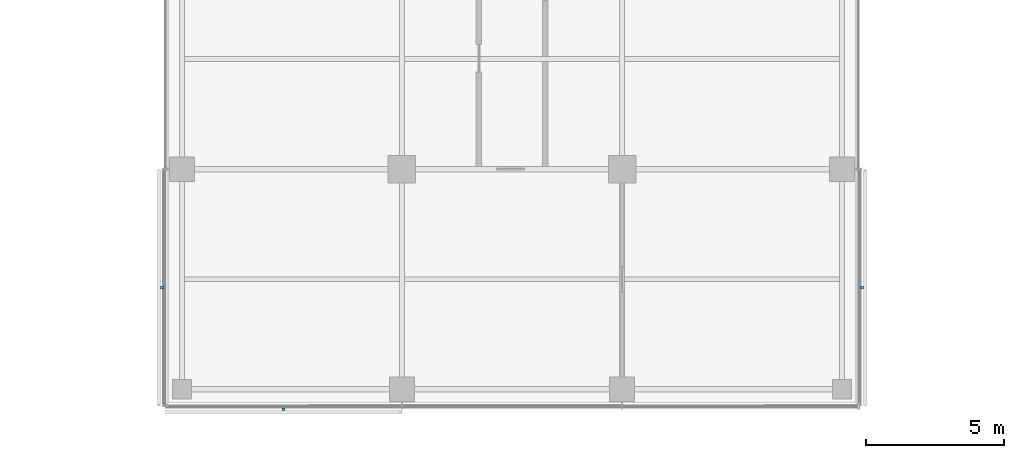
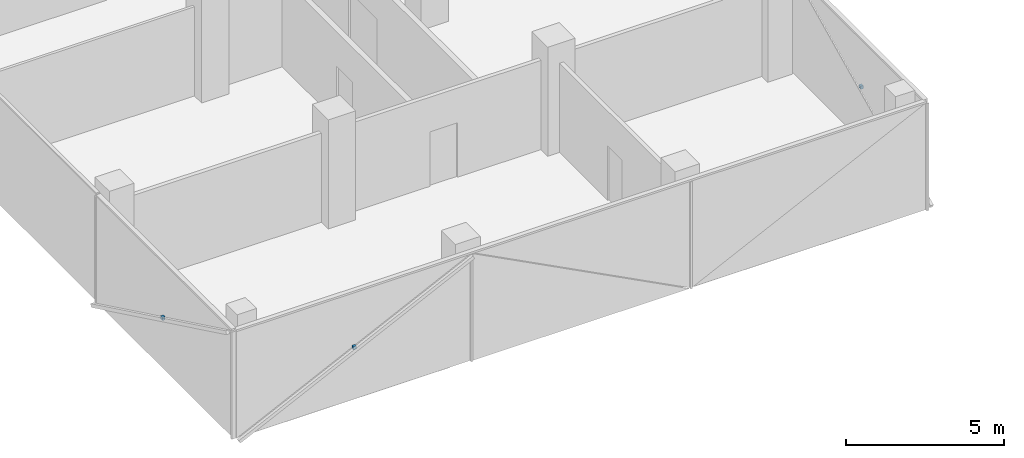
# One storey, part 18 of 22: 3 discrete accessories.
"""IFC4 building model written with IfcOpenShell, lengths in metres."""

from ifc_helpers import new_model, si_unit, direction, frame, origin, origin_2d, place, context, subcontext, project, spatial, rectangle, extrude, material, type_object, element, save


model = new_model("IFC4")

# Units and contexts
model_context = context("Model", 3, precision=1e-05, world=origin(), true_north=direction((0.0, 1.0)))
body_context = subcontext(model_context, "Body", "Model", "MODEL_VIEW")
ifc_project = project(units=[si_unit("LENGTHUNIT", "METRE"), si_unit("AREAUNIT", "SQUARE_METRE"), si_unit("VOLUMEUNIT", "CUBIC_METRE"), si_unit("PLANEANGLEUNIT", "RADIAN"), si_unit("MASSUNIT", "GRAM", prefix="KILO")], contexts=[model_context])

# Site, building, storey
site_placement = place(None, origin())
site = spatial("IfcSite", under=ifc_project, at=site_placement, CompositionType="ELEMENT")
building_placement = place(site_placement, origin())
building = spatial("IfcBuilding", under=site, at=building_placement, Name="Crosswind Convention Tower", CompositionType="ELEMENT")
storey_placement = place(building_placement, frame((0.0, 0.0, 150.5)))
storey = spatial("IfcBuildingStorey", under=building, at=storey_placement, Name="L31", CompositionType="ELEMENT", Elevation=150.5)

# Discrete accessories
ifc_material = material(Name="Stainless steel", Category="steel")
discrete_accessory_type = type_object("IfcDiscreteAccessoryType", Name="BAGUETTE BRACKET BK3", PredefinedType="BRACKET", material=ifc_material)
for number, where, z_axis, x_axis, name in (
    (1, (112.27392578125, 75.695068359375, 1.704833984375), (0.0, 0.0, 1.0), (0.0, -1.0, 0.0), "BK3 baguette bracket"),
    (2, (116.695068359375, 71.27392578125, 1.704833984375), (0.0, 0.0, 1.0), (1.0, 0.0, 0.0), "BK3 baguette bracket"),
    (3, (137.72607421875, 75.695068359375, 1.704833984375), (0.0, 0.0, 1.0), (0.0, 1.0, 0.0), "BK3 baguette bracket"),
):
    element("IfcDiscreteAccessory", number, at=place(storey_placement, frame(where, z_axis=z_axis, x_axis=x_axis)), inside=storey, type_object=discrete_accessory_type, Name=name, PredefinedType="BRACKET", context=body_context, shape_type="SweptSolid", body=[
        extrude(rectangle(XDim=0.1201171875, YDim=0.10009765625, at=origin_2d()), origin(), (0.0, 0.0, 1.0), 0.1201171875),
    ])

save(model, "model.ifc")
